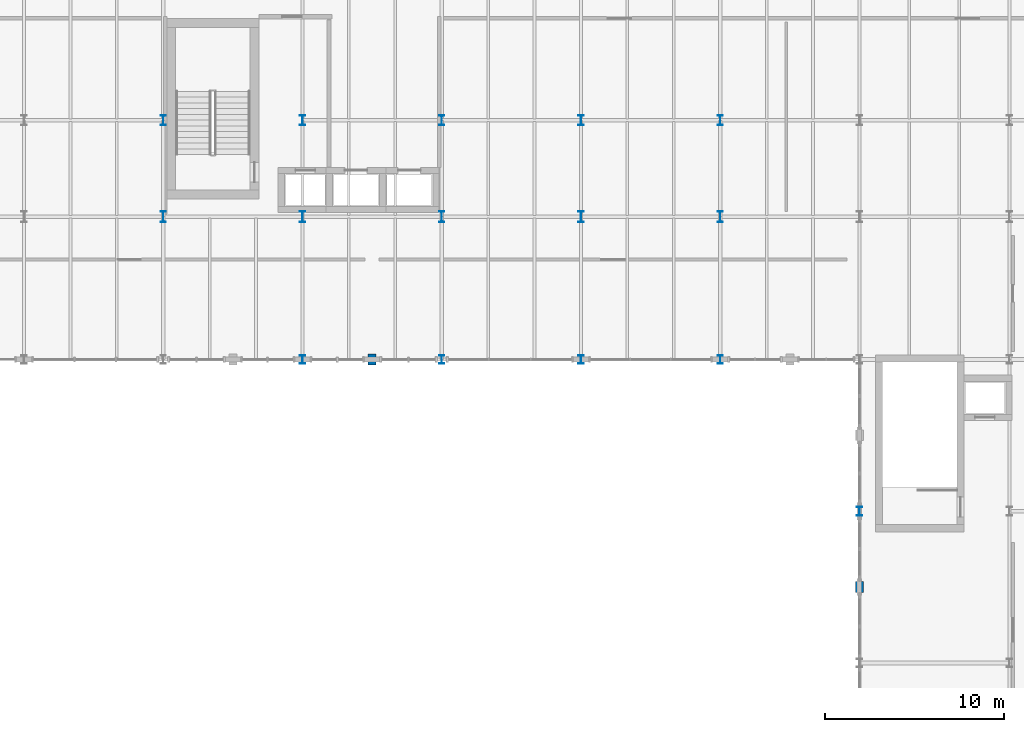
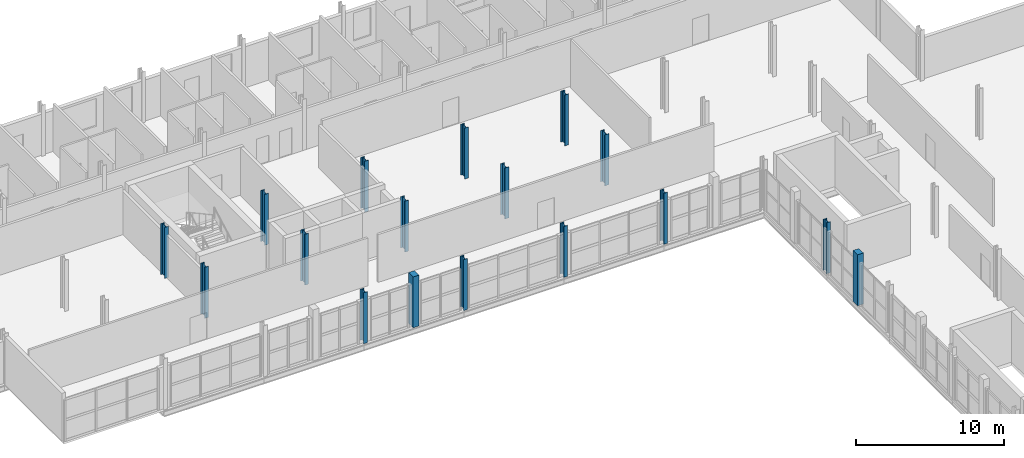
# One storey, part 6 of 45: 17 columns.
"""IFC4 building model written with IfcOpenShell, lengths in metres."""

from ifc_helpers import new_model, si_unit, direction, frame, origin, origin_2d, place, context, subcontext, project, spatial, rectangle, i_section, extrude, material, material_profile, profile_set, type_object, element, save


model = new_model("IFC4")

# Units and contexts
model_context = context("Model", 3, precision=1e-05, world=origin(), true_north=direction((0.0, 1.0)))
body_context = subcontext(model_context, "Body", "Model", "MODEL_VIEW")
ifc_project = project(units=[si_unit("LENGTHUNIT", "METRE"), si_unit("AREAUNIT", "SQUARE_METRE"), si_unit("VOLUMEUNIT", "CUBIC_METRE"), si_unit("PLANEANGLEUNIT", "RADIAN"), si_unit("MASSUNIT", "GRAM", prefix="KILO")], contexts=[model_context])

# Site, building, storey
site_placement = place(None, origin())
site = spatial("IfcSite", under=ifc_project, at=site_placement, CompositionType="ELEMENT")
building_placement = place(site_placement, origin())
building = spatial("IfcBuilding", under=site, at=building_placement, Name="Sefraquen Railside Congress Hotel", CompositionType="ELEMENT")
storey_placement = place(building_placement, frame((0.0, 0.0, 20.39990234375)))
storey = spatial("IfcBuildingStorey", under=building, at=storey_placement, Name="L04", CompositionType="ELEMENT", Elevation=20.39990234375)

# Columns
ifc_material_1 = material(Name="Steel S355JR", Category="steel")
ifc_material_profile_1 = material_profile(ifc_material_1, i_section(OverallWidth=0.300048828125, OverallDepth=0.5, WebThickness=0.014404296875, FlangeThickness=0.028076171875, FilletRadius=0.027099609375, at=origin_2d()), Name="HEB 500")
ifc_profile_set_1 = profile_set([ifc_material_profile_1], Name="Steel S355JR")
column_type_1 = type_object("IfcColumnType", Name="TC-HEB-500", PredefinedType="COLUMN", material=ifc_profile_set_1)
for number, where, z_axis, x_axis, name in (
    (1, (72.0, 88.0, 0.0), (0.0, 0.0, 1.0), (1.0, 0.0, 0.0), "Structural column 10-L L04"),
    (2, (79.800048828125, 88.0, 0.0), (0.0, 0.0, 1.0), (1.0, 0.0, 0.0), "Structural column 11-L L04"),
    (3, (87.60009765625, 88.0, 0.0), (0.0, 0.0, 1.0), (1.0, 0.0, 0.0), "Structural column 12-L L04"),
    (4, (95.39990234375, 88.0, 0.0), (0.0, 0.0, 1.0), (1.0, 0.0, 0.0), "Structural column 13-L L04"),
    (5, (103.199951171875, 79.5, 0.0), (0.0, 0.0, 1.0), (1.0, 0.0, 0.0), "Structural column 14-K L04"),
):
    element("IfcColumn", number, at=place(storey_placement, frame(where, z_axis=z_axis, x_axis=x_axis)), inside=storey, type_object=column_type_1, Name=name, PredefinedType="COLUMN", context=body_context, shape_type="SweptSolid", body=[
        extrude(i_section(OverallWidth=0.300048828125, OverallDepth=0.5, WebThickness=0.014404296875, FlangeThickness=0.028076171875, FilletRadius=0.027099609375, at=origin_2d()), origin(), (0.0, 0.0, 1.0), 4.2001953125),
    ])
ifc_material_profile_2 = material_profile(ifc_material_1, i_section(OverallWidth=0.300048828125, OverallDepth=0.550048828125, WebThickness=0.014892578125, FlangeThickness=0.029052734375, FilletRadius=0.027099609375, at=origin_2d()), Name="HEB 550")
ifc_profile_set_2 = profile_set([ifc_material_profile_2], Name="Steel S355JR")
column_type_2 = type_object("IfcColumnType", Name="TC-HEB-550", PredefinedType="COLUMN", material=ifc_profile_set_2)
for number, where, z_axis, x_axis, name in (
    (6, (64.199951171875, 101.39990234375, 0.0), (0.0, 0.0, 1.0), (1.0, 0.0, 0.0), "Structural column 9-N L04"),
    (7, (72.0, 101.39990234375, 0.0), (0.0, 0.0, 1.0), (1.0, 0.0, 0.0), "Structural column 10-N L04"),
    (8, (79.800048828125, 101.39990234375, 0.0), (0.0, 0.0, 1.0), (1.0, 0.0, 0.0), "Structural column 11-N L04"),
    (9, (87.60009765625, 101.39990234375, 0.0), (0.0, 0.0, 1.0), (1.0, 0.0, 0.0), "Structural column 12-N L04"),
    (10, (95.39990234375, 101.39990234375, 0.0), (0.0, 0.0, 1.0), (1.0, 0.0, 0.0), "Structural column 13-N L04"),
):
    element("IfcColumn", number, at=place(storey_placement, frame(where, z_axis=z_axis, x_axis=x_axis)), inside=storey, type_object=column_type_2, Name=name, PredefinedType="COLUMN", context=body_context, shape_type="SweptSolid", body=[
        extrude(i_section(OverallWidth=0.300048828125, OverallDepth=0.550048828125, WebThickness=0.014892578125, FlangeThickness=0.029052734375, FilletRadius=0.027099609375, at=origin_2d()), origin(), (0.0, 0.0, 1.0), 4.2001953125),
    ])
ifc_material_profile_3 = material_profile(ifc_material_1, i_section(OverallWidth=0.300048828125, OverallDepth=0.60009765625, WebThickness=0.015380859375, FlangeThickness=0.030029296875, FilletRadius=0.027099609375, at=origin_2d()), Name="HEB 600")
ifc_profile_set_3 = profile_set([ifc_material_profile_3], Name="Steel S355JR")
column_type_3 = type_object("IfcColumnType", Name="TC-HEB-600", PredefinedType="COLUMN", material=ifc_profile_set_3)
for number, where, z_axis, x_axis, name in (
    (11, (64.199951171875, 96.0, 0.0), (0.0, 0.0, 1.0), (1.0, 0.0, 0.0), "Structural column 9-M L04"),
    (12, (72.0, 96.0, 0.0), (0.0, 0.0, 1.0), (1.0, 0.0, 0.0), "Structural column 10-M L04"),
    (13, (79.800048828125, 96.0, 0.0), (0.0, 0.0, 1.0), (1.0, 0.0, 0.0), "Structural column 11-M L04"),
    (14, (87.60009765625, 96.0, 0.0), (0.0, 0.0, 1.0), (1.0, 0.0, 0.0), "Structural column 12-M L04"),
    (15, (95.39990234375, 96.0, 0.0), (0.0, 0.0, 1.0), (1.0, 0.0, 0.0), "Structural column 13-M L04"),
):
    element("IfcColumn", number, at=place(storey_placement, frame(where, z_axis=z_axis, x_axis=x_axis)), inside=storey, type_object=column_type_3, Name=name, PredefinedType="COLUMN", context=body_context, shape_type="SweptSolid", body=[
        extrude(i_section(OverallWidth=0.300048828125, OverallDepth=0.60009765625, WebThickness=0.015380859375, FlangeThickness=0.030029296875, FilletRadius=0.027099609375, at=origin_2d()), origin(), (0.0, 0.0, 1.0), 4.2001953125),
    ])
ifc_material_2 = material(Name="Concrete C50/60", Category="concrete")
ifc_material_profile_4 = material_profile(ifc_material_2, rectangle(XDim=0.449951171875, YDim=0.60009765625, at=origin_2d()), Name="RC 600x450")
ifc_profile_set_4 = profile_set([ifc_material_profile_4], Name="Concrete C50/60")
column_type_4 = type_object("IfcColumnType", Name="TC-PIL-600", PredefinedType="PILASTER", material=ifc_profile_set_4)
for number, where, z_axis, x_axis, name in (
    (16, (103.199951171875, 75.25, 0.0), (0.0, 0.0, 1.0), (1.0, 0.0, 0.0), "Courtyard limestone pilaster CPIL-E3 L04"),
    (17, (75.89990234375, 88.0, 0.0), (0.0, 0.0, 1.0), (1.0, 0.0, 0.0), "Courtyard limestone pilaster CPIL-N2 L04"),
):
    element("IfcColumn", number, at=place(storey_placement, frame(where, z_axis=z_axis, x_axis=x_axis)), inside=storey, type_object=column_type_4, Name=name, PredefinedType="PILASTER", context=body_context, shape_type="SweptSolid", body=[
        extrude(rectangle(XDim=0.449951171875, YDim=0.60009765625, at=origin_2d()), origin(), (0.0, 0.0, 1.0), 4.2001953125),
    ])

save(model, "model.ifc")
